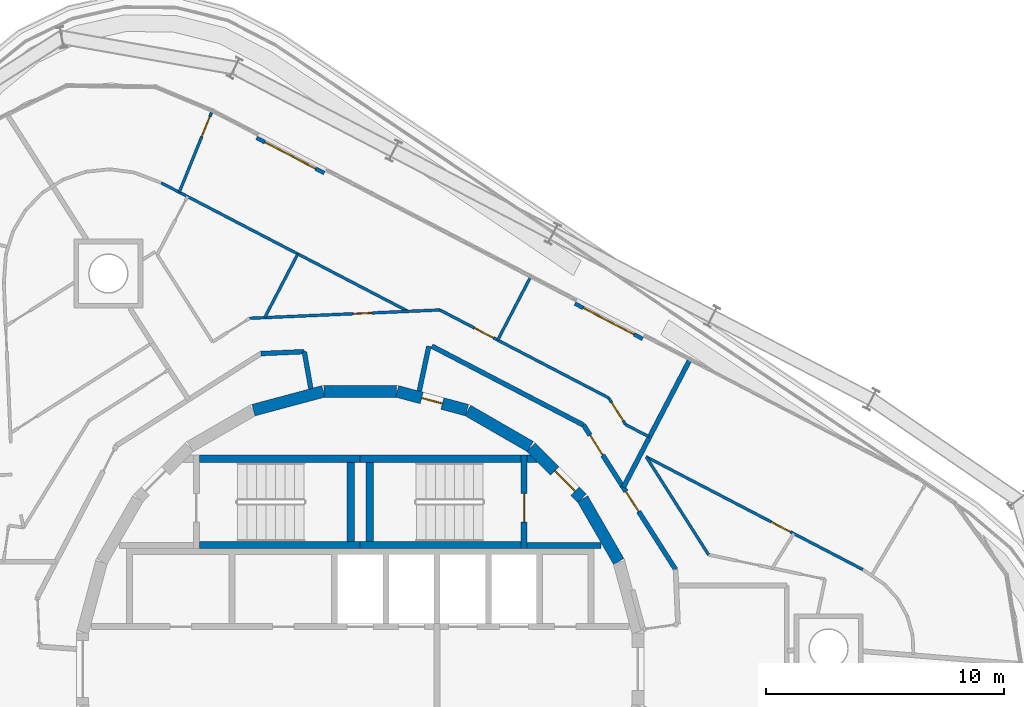
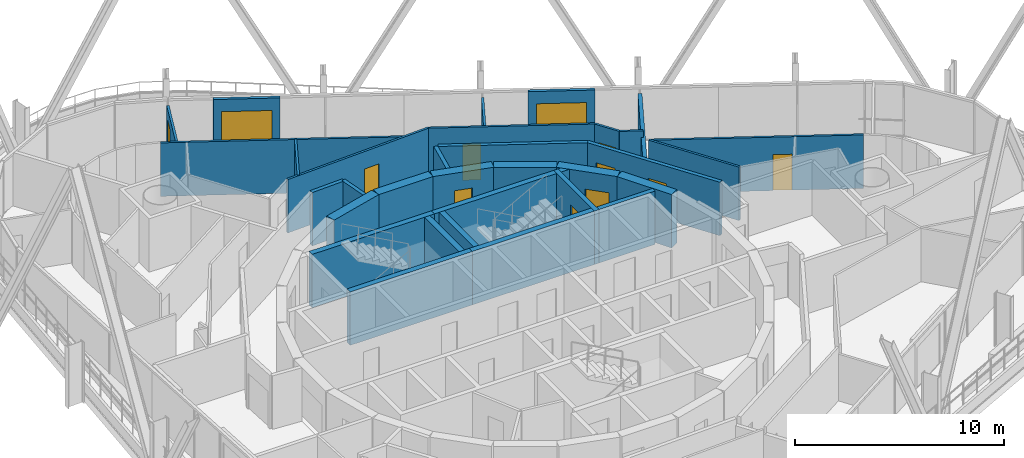
# One storey, part 16 of 20: 33 walls, 12 doors, 12 openings.
"""IFC4 building model written with IfcOpenShell, lengths in metres."""

import ifcopenshell
import ifcopenshell.guid

model = None  # the IFC model being written
_history = None  # IfcOwnerHistory: only IFC2X3 demands one
_inside = {}  # id of a spatial element -> (the spatial element, [elements in it])
_under = {}  # id of a project, library or spatial element -> (it, [spatial elements below it])
_declared = {}  # id of a project -> (the project, [libraries it declares])
_typed = {}  # id of a type object -> (the type object, [elements of that type])
_made_of = {}  # id of a material, layer set ... -> (it, [elements and type objects made of it])


def new_model(schema):
    """Start an empty IFC model of exactly this schema.

    Asked for "IFC4X3", IfcOpenShell would pick the latest addendum, in which some entities
    have other attributes; the version numbers below select the first issue.
    IFC2X3 requires an IfcOwnerHistory on every rooted entity: one is made here for all.
    """
    global model, _history
    if schema == "IFC4X3":
        model = ifcopenshell.file(schema_version=(4, 3, 0, 0))
    else:
        model = ifcopenshell.file(schema=schema)
    _inside.clear()
    _under.clear()
    _declared.clear()
    _typed.clear()
    _made_of.clear()
    _history = None
    if model.schema == "IFC2X3":
        org = make("IfcOrganization", Name="unknown")
        user = make(
            "IfcPersonAndOrganization",
            ThePerson=make("IfcPerson", FamilyName="unknown"),
            TheOrganization=org,
        )
        app = make(
            "IfcApplication",
            ApplicationDeveloper=org,
            Version="unknown",
            ApplicationFullName="unknown",
            ApplicationIdentifier="unknown",
        )
        _history = make(
            "IfcOwnerHistory",
            OwningUser=user,
            OwningApplication=app,
            ChangeAction="ADDED",
            CreationDate=0,
        )
    return model


def make(cls, **values):
    """One entity of the class cls with the attributes given. An attribute that is None is left unset."""
    return model.create_entity(
        cls, **{name: value for name, value in values.items() if value is not None}
    )


def rooted(cls, **values):
    """An entity with a GlobalId (a new one), such as an element, a storey or a relation."""
    return make(cls, GlobalId=ifcopenshell.guid.new(), OwnerHistory=_history, **values)


def si_unit(unit_type, name, prefix=None):
    """IfcSIUnit, for example si_unit("LENGTHUNIT", "METRE", prefix="MILLI")."""
    return make("IfcSIUnit", UnitType=unit_type, Prefix=prefix, Name=name)


def assignment(units):
    """IfcUnitAssignment: the units of a project."""
    return None if units is None else make("IfcUnitAssignment", Units=units)


def point(xyz):
    """IfcCartesianPoint."""
    return None if xyz is None else make("IfcCartesianPoint", Coordinates=xyz)


def direction(xyz):
    """IfcDirection."""
    return None if xyz is None else make("IfcDirection", DirectionRatios=xyz)


def frame(location, z_axis=None, x_axis=None):
    """IfcAxis2Placement3D, a coordinate frame: its origin and axes. An axis left out is left unset."""
    return make(
        "IfcAxis2Placement3D",
        Location=point(location),
        Axis=direction(z_axis),
        RefDirection=direction(x_axis),
    )


def frame_2d(location, x_axis=None):
    """IfcAxis2Placement2D, a coordinate frame in the plane: its origin and x axis."""
    return make(
        "IfcAxis2Placement2D", Location=point(location), RefDirection=direction(x_axis)
    )


def origin():
    """The frame at (0, 0, 0) with its axes left unset."""
    return frame((0.0, 0.0, 0.0))


def place(relative_to, where):
    """IfcLocalPlacement: puts the frame where relative to a parent placement (None: the world)."""
    return make(
        "IfcLocalPlacement", PlacementRelTo=relative_to, RelativePlacement=where
    )


def context(
    kind, dimensions, precision=None, world=None, true_north=None, identifier=None
):
    """IfcGeometricRepresentationContext, for example the 3D "Model" context."""
    return make(
        "IfcGeometricRepresentationContext",
        ContextIdentifier=identifier,
        ContextType=kind,
        CoordinateSpaceDimension=dimensions,
        Precision=precision,
        WorldCoordinateSystem=world,
        TrueNorth=true_north,
    )


def subcontext(parent, identifier, kind, view, scale=None):
    """IfcGeometricRepresentationSubContext, for example "Body" below "Model"."""
    return make(
        "IfcGeometricRepresentationSubContext",
        ContextIdentifier=identifier,
        ContextType=kind,
        ParentContext=parent,
        TargetScale=scale,
        TargetView=view,
    )


def project(units=None, contexts=None):
    """IfcProject with its units and contexts."""
    return rooted(
        "IfcProject",
        Name="project",
        RepresentationContexts=contexts,
        UnitsInContext=assignment(units),
    )


def spatial(cls, under=None, at=None, **own):
    """A site, building, storey or space (cls), placed at a placement, below another one or the project."""
    s = rooted(cls, ObjectPlacement=at, **own)
    if under is not None:
        _under.setdefault(under.id(), (under, []))[1].append(s)
    return s


def polyline(points):
    """IfcPolyline through the points."""
    return make("IfcPolyline", Points=[point(p) for p in points])


def profile(cls, at=None, kind="AREA", **sizes):
    """A parametric profile (cls). Its sizes go by their IFC names, for example OverallWidth=200.0."""
    return make(cls, ProfileType=kind, Position=at, **sizes)


def rectangle(**sizes):
    """IfcRectangleProfileDef."""
    return profile("IfcRectangleProfileDef", **sizes)


def outline(outer, holes=None, kind="AREA"):
    """IfcArbitraryClosedProfileDef: a profile drawn as a closed curve; with holes, ...WithVoids."""
    if holes is None:
        return make("IfcArbitraryClosedProfileDef", ProfileType=kind, OuterCurve=outer)
    return make(
        "IfcArbitraryProfileDefWithVoids",
        ProfileType=kind,
        OuterCurve=outer,
        InnerCurves=holes,
    )


def extrude(swept, where, along, depth):
    """IfcExtrudedAreaSolid: the profile swept, set in the frame where, extruded along a direction by depth."""
    return make(
        "IfcExtrudedAreaSolid",
        SweptArea=swept,
        Position=where,
        ExtrudedDirection=direction(along),
        Depth=depth,
    )


def shape(context_of_items, identifier, shape_type, items):
    """IfcShapeRepresentation: the items that make up one representation, for example the "Body"."""
    return make(
        "IfcShapeRepresentation",
        ContextOfItems=context_of_items,
        RepresentationIdentifier=identifier,
        RepresentationType=shape_type,
        Items=items,
    )


def material(Name=None, Category=None):
    """IfcMaterial."""
    return make("IfcMaterial", Name=Name, Category=Category)


def layer(
    of_material, thickness, ventilated=None, Name=None, Category=None, Priority=None
):
    """IfcMaterialLayer: one layer of a wall or slab, of a material (None: an air gap)."""
    return make(
        "IfcMaterialLayer",
        Material=of_material,
        LayerThickness=thickness,
        IsVentilated=ventilated,
        Name=Name,
        Category=Category,
        Priority=Priority,
    )


def layer_set(layers, Name=None):
    """IfcMaterialLayerSet."""
    return make("IfcMaterialLayerSet", MaterialLayers=layers, LayerSetName=Name)


def made_of(thing, what):
    """Note that an element or type object is made of a material, layer set ...; save() writes the relation."""
    if what is not None:
        _made_of.setdefault(what.id(), (what, []))[1].append(thing)
    return thing


def type_object(cls, material=None, **own):
    """A type object (cls), such as IfcWallType, which elements share."""
    return made_of(rooted(cls, **own), material)


def element(
    cls,
    number,
    at=None,
    inside=None,
    cuts=None,
    type_object=None,
    material=None,
    context=None,
    identifier="Body",
    shape_type=None,
    held_by="IfcProductDefinitionShape",
    body=None,
    shapes=None,
    **own,
):
    """One element of the class cls, such as IfcWall. Its Tag is "e" and its number.

    at: its placement. inside: the storey or other place that contains it. cuts: it is an
    opening in that element (IfcRelVoidsElement). A single representation is given by context,
    identifier, shape_type and body (its items); several are given by shapes. held_by: the class
    of the entity that holds the representations. save() writes the other relations.
    """
    e = rooted(cls, Tag="e%d" % number, ObjectPlacement=at, **own)
    if body is not None:
        shapes = [shape(context, identifier, shape_type, body)]
    if shapes is not None:
        e.Representation = make(held_by, Representations=shapes)
    if inside is not None:
        _inside.setdefault(inside.id(), (inside, []))[1].append(e)
    if cuts is not None:
        rooted(
            "IfcRelVoidsElement", RelatingBuildingElement=cuts, RelatedOpeningElement=e
        )
    if type_object is not None:
        _typed.setdefault(type_object.id(), (type_object, []))[1].append(e)
    return made_of(e, material)


def fill(opening, filler):
    """IfcRelFillsElement: the door or window that sits in an opening."""
    return rooted(
        "IfcRelFillsElement",
        RelatingOpeningElement=opening,
        RelatedBuildingElement=filler,
    )


def aggregate(whole, parts):
    """IfcRelAggregates: a whole, such as a stair, and the parts it consists of."""
    return rooted("IfcRelAggregates", RelatingObject=whole, RelatedObjects=parts)


def save(model, path):
    """Write the relations noted so far, then the file.

    IfcRelAggregates (storeys below a building ...), IfcRelContainedInSpatialStructure (elements
    in a storey), IfcRelDefinesByType, IfcRelAssociatesMaterial and IfcRelDeclares: one each for
    every whole, place, type object, material and project.
    """
    for whole, parts in _under.values():
        aggregate(whole, parts)
    for where, things in _inside.values():
        rooted(
            "IfcRelContainedInSpatialStructure",
            RelatedElements=things,
            RelatingStructure=where,
        )
    for kind, things in _typed.values():
        rooted("IfcRelDefinesByType", RelatedObjects=things, RelatingType=kind)
    for what, things in _made_of.values():
        rooted("IfcRelAssociatesMaterial", RelatedObjects=things, RelatingMaterial=what)
    for by, libraries in _declared.values():
        rooted("IfcRelDeclares", RelatingContext=by, RelatedDefinitions=libraries)
    model.write(path)


model = new_model("IFC4")

# Units and contexts
model_context = context("Model", 3, precision=1e-05, world=origin(), true_north=direction((0.0, 1.0)))
body_context = subcontext(model_context, "Body", "Model", "MODEL_VIEW")
ifc_project = project(units=[si_unit("LENGTHUNIT", "METRE"), si_unit("AREAUNIT", "SQUARE_METRE"), si_unit("VOLUMEUNIT", "CUBIC_METRE"), si_unit("PLANEANGLEUNIT", "RADIAN"), si_unit("MASSUNIT", "GRAM", prefix="KILO")], contexts=[model_context])

# Site, building, storey
site_placement = place(None, origin())
site = spatial("IfcSite", under=ifc_project, at=site_placement, CompositionType="ELEMENT")
building_placement = place(site_placement, origin())
building = spatial("IfcBuilding", under=site, at=building_placement, Name="Spindle Arch Residences", CompositionType="ELEMENT")
storey_placement = place(building_placement, frame((0.0, 0.0, 226.699951171875)))
storey = spatial("IfcBuildingStorey", under=building, at=storey_placement, Name="L57", CompositionType="ELEMENT", Elevation=226.699951171875)

# Wall
ifc_material_1 = material(Name="Concrete C50/60", Category="concrete")
ifc_layer_1 = layer(ifc_material_1, 0.5)
ifc_layer_set_1 = layer_set([ifc_layer_1], Name="Core outline wall 500")
wall_type_1 = type_object("IfcWallType", Name="Core outline wall 500", PredefinedType="SHEAR", material=ifc_layer_set_1)
wall_1_placement = place(storey_placement, frame((10.84521484375, 4.510498046875, 0.0), z_axis=(0.0, 0.0, 1.0), x_axis=(-0.500087131594, 0.865975092491, 0.0)))
element("IfcWall", 1, at=wall_1_placement, inside=storey, type_object=wall_type_1, Name="Core outline wall 8", PredefinedType="SHEAR", context=body_context, shape_type="SweptSolid", body=[
    extrude(rectangle(XDim=3.03271484375, YDim=0.5, at=frame_2d((1.516357421875, 0.0))), origin(), (0.0, 0.0, 1.0), 3.1201171875),
])

# Wall, opening, door
wall_2_placement = place(storey_placement, frame((9.30810546875, 7.163818359375, 0.0), z_axis=(0.0, 0.0, 1.0), x_axis=(-0.707106781187, 0.707106781187, 0.0)))
wall_2 = element("IfcWall", 2, at=wall_2_placement, inside=storey, type_object=wall_type_1, Name="Core outline wall 9", PredefinedType="SHEAR", context=body_context, shape_type="SweptSolid", body=[
    extrude(rectangle(XDim=3.032470703125, YDim=0.5, at=frame_2d((1.51611328125, 0.0))), origin(), (0.0, 0.0, 1.0), 3.1201171875),
])
opening_1_placement = place(wall_2_placement, frame((0.416259765625, 0.0, 0.0)))
opening_1 = element("IfcOpeningElement", 3, at=opening_1_placement, cuts=wall_2, Name="Opening R6A0-AD01", PredefinedType="OPENING", context=body_context, shape_type="SweptSolid", body=[
    extrude(rectangle(XDim=1.199951171875, YDim=2.10009765625, at=frame_2d((0.60009765625, 1.050048828125))), frame((0.0, 0.260009765625, 0.0), z_axis=(0.0, -1.0, 0.0), x_axis=(1.0, 0.0, 0.0)), (0.0, 0.0, 1.0), 0.52001953125),
])
ifc_material_2 = material(Name="Steel, fire-resisting door", Category="steel")
door_type_1 = type_object("IfcDoorType", Name="Stair airlock door 1200x2100", OperationType="SINGLE_SWING_LEFT", PredefinedType="DOOR", material=ifc_material_2)
door_1_placement = place(opening_1_placement, origin())
door_1 = element("IfcDoor", 4, at=door_1_placement, inside=storey, type_object=door_type_1, Name="Stair airlock door R6A0-AD01", OperationType="SINGLE_SWING_RIGHT", OverallHeight=2.10009765625, OverallWidth=1.199951171875, PredefinedType="DOOR", context=body_context, shape_type="SweptSolid", body=[
    extrude(rectangle(XDim=1.199951171875, YDim=2.10009765625, at=frame_2d((0.60009765625, 1.050048828125))), frame((0.0, 0.02490234375, 0.0), z_axis=(0.0, -1.0, 0.0), x_axis=(1.0, 0.0, 0.0)), (0.0, 0.0, 1.0), 0.050048828125),
])
fill(opening_1, door_1)

# Wall
wall_3_placement = place(storey_placement, frame((7.13671875, 9.32861328125, 0.0), z_axis=(0.0, 0.0, 1.0), x_axis=(-0.865975092491, 0.500087131594, 0.0)))
element("IfcWall", 5, at=wall_3_placement, inside=storey, type_object=wall_type_1, Name="Core outline wall 10", PredefinedType="SHEAR", context=body_context, shape_type="SweptSolid", body=[
    extrude(rectangle(XDim=3.03271484375, YDim=0.5, at=frame_2d((1.516357421875, 0.0))), origin(), (0.0, 0.0, 1.0), 3.1201171875),
])

# Wall, opening, door
wall_4_placement = place(storey_placement, frame((4.479248046875, 10.858154296875, 0.0), z_axis=(0.0, 0.0, 1.0), x_axis=(-0.965948410781, 0.258734743916, 0.0)))
wall_4 = element("IfcWall", 6, at=wall_4_placement, inside=storey, type_object=wall_type_1, Name="Core outline wall 11", PredefinedType="SHEAR", context=body_context, shape_type="SweptSolid", body=[
    extrude(rectangle(XDim=3.03271484375, YDim=0.5, at=frame_2d((1.516357421875, 0.0))), origin(), (0.0, 0.0, 1.0), 3.1201171875),
])
opening_2_placement = place(wall_4_placement, frame((1.066162109375, 0.0, 0.0)))
opening_2 = element("IfcOpeningElement", 7, at=opening_2_placement, cuts=wall_4, Name="Opening R6A0-WD11", PredefinedType="OPENING", context=body_context, shape_type="SweptSolid", body=[
    extrude(rectangle(XDim=0.89990234375, YDim=2.10009765625, at=frame_2d((0.449951171875, 1.050048828125))), frame((0.0, 0.260009765625, 0.0), z_axis=(0.0, -1.0, 0.0), x_axis=(1.0, 0.0, 0.0)), (0.0, 0.0, 1.0), 0.52001953125),
])
ifc_material_3 = material(Name="Steel, fire-resisting door", Category="steel")
door_type_2 = type_object("IfcDoorType", Name="Service room door 900x2100", OperationType="SINGLE_SWING_LEFT", PredefinedType="DOOR", material=ifc_material_3)
door_2_placement = place(opening_2_placement, origin())
door_2 = element("IfcDoor", 8, at=door_2_placement, inside=storey, type_object=door_type_2, Name="Service room door R6A0-WD11", OperationType="SINGLE_SWING_LEFT", OverallHeight=2.10009765625, OverallWidth=0.89990234375, PredefinedType="DOOR", context=body_context, shape_type="SweptSolid", body=[
    extrude(rectangle(XDim=0.89990234375, YDim=2.10009765625, at=frame_2d((0.449951171875, 1.050048828125))), frame((0.0, 0.02490234375, 0.0), z_axis=(0.0, -1.0, 0.0), x_axis=(1.0, 0.0, 0.0)), (0.0, 0.0, 1.0), 0.050048828125),
])
fill(opening_2, door_2)

# Walls
for number, where, z_axis, x_axis, name in (
    (9, (1.516357421875, 11.647216796875, 0.0), (0.0, 0.0, 1.0), (-1.0, 0.0, 0.0), "Core outline wall 12"),
    (10, (-1.5498046875, 11.642822265625, 0.0), (0.0, 0.0, 1.0), (-0.965948410781, -0.258734743916, 0.0), "Core outline wall 13"),
):
    element("IfcWall", number, at=place(storey_placement, frame(where, z_axis=z_axis, x_axis=x_axis)), inside=storey, type_object=wall_type_1, Name=name, PredefinedType="SHEAR", context=body_context, shape_type="SweptSolid", body=[
        extrude(rectangle(XDim=3.03271484375, YDim=0.5, at=frame_2d((1.516357421875, 0.0))), origin(), (0.0, 0.0, 1.0), 3.1201171875),
    ])

# Wall, openings, doors
ifc_material_4 = material(Name="Calcium silicate block, plastered")
ifc_layer_2 = layer(ifc_material_4, 0.199951171875)
ifc_layer_set_2 = layer_set([ifc_layer_2], Name="Corridor wall 200")
wall_type_2 = type_object("IfcWallType", Name="Corridor wall 200", PredefinedType="STANDARD", material=ifc_layer_set_2)
wall_5_placement = place(storey_placement, frame((13.230712890625, 4.171630859375, 0.0), z_axis=(0.0, 0.0, 1.0), x_axis=(-0.537304397561, 0.843388394728, 0.0)))
wall_5 = element("IfcWall", 11, at=wall_5_placement, inside=storey, type_object=wall_type_2, Name="Corridor wall R6A0-W004", PredefinedType="STANDARD", context=body_context, shape_type="SweptSolid", body=[
    extrude(rectangle(XDim=7.180908203125, YDim=0.199951171875, at=frame_2d((3.59033203125, 0.0))), origin(), (0.0, 0.0, 1.0), 3.1201171875),
])
opening_3_placement = place(wall_5_placement, frame((2.881103515625, 0.0, 0.0)))
opening_3 = element("IfcOpeningElement", 12, at=opening_3_placement, cuts=wall_5, Name="Opening R6A0-FD01", PredefinedType="OPENING", context=body_context, shape_type="SweptSolid", body=[
    extrude(rectangle(XDim=1.0, YDim=2.10009765625, at=frame_2d((0.5, 1.050048828125))), frame((0.0, 0.10986328125, 0.0), z_axis=(0.0, -1.0, 0.0), x_axis=(1.0, 0.0, 0.0)), (0.0, 0.0, 1.0), 0.219970703125),
])
opening_4_placement = place(wall_5_placement, frame((5.68115234375, 0.0, 0.0)))
opening_4 = element("IfcOpeningElement", 13, at=opening_4_placement, cuts=wall_5, Name="Opening R6A0-FD02", PredefinedType="OPENING", context=body_context, shape_type="SweptSolid", body=[
    extrude(rectangle(XDim=1.0, YDim=2.10009765625, at=frame_2d((0.5, 1.050048828125))), frame((0.0, 0.10986328125, 0.0), z_axis=(0.0, -1.0, 0.0), x_axis=(1.0, 0.0, 0.0)), (0.0, 0.0, 1.0), 0.219970703125),
])
ifc_material_5 = material(Name="Timber, fire-resisting door set", Category="wood")
door_type_3 = type_object("IfcDoorType", Name="Flat entrance door 1000x2100", OperationType="NOTDEFINED", PredefinedType="DOOR", material=ifc_material_5)
door_3_placement = place(opening_3_placement, origin())
door_3 = element("IfcDoor", 14, at=door_3_placement, inside=storey, type_object=door_type_3, Name="Flat entrance door R6A0-FD01", OperationType="SINGLE_SWING_LEFT", OverallHeight=2.10009765625, OverallWidth=1.0, PredefinedType="DOOR", context=body_context, shape_type="SweptSolid", body=[
    extrude(rectangle(XDim=1.0, YDim=2.10009765625, at=frame_2d((0.5, 1.050048828125))), frame((0.0, 0.02490234375, 0.0), z_axis=(0.0, -1.0, 0.0), x_axis=(1.0, 0.0, 0.0)), (0.0, 0.0, 1.0), 0.050048828125),
])
fill(opening_3, door_3)
door_4_placement = place(opening_4_placement, origin())
door_4 = element("IfcDoor", 15, at=door_4_placement, inside=storey, type_object=door_type_3, Name="Flat entrance door R6A0-FD02", OperationType="SINGLE_SWING_LEFT", OverallHeight=2.10009765625, OverallWidth=1.0, PredefinedType="DOOR", context=body_context, shape_type="SweptSolid", body=[
    extrude(rectangle(XDim=1.0, YDim=2.10009765625, at=frame_2d((0.5, 1.050048828125))), frame((0.0, 0.02490234375, 0.0), z_axis=(0.0, -1.0, 0.0), x_axis=(1.0, 0.0, 0.0)), (0.0, 0.0, 1.0), 0.050048828125),
])
fill(opening_4, door_4)

# Walls
wall_6_placement = place(storey_placement, frame((9.372314453125, 10.22802734375, 0.0), z_axis=(0.0, 0.0, 1.0), x_axis=(-0.887005184532, 0.461759464021, 0.0)))
element("IfcWall", 16, at=wall_6_placement, inside=storey, type_object=wall_type_2, Name="Corridor wall R6A0-W005", PredefinedType="STANDARD", context=body_context, shape_type="SweptSolid", body=[
    extrude(rectangle(XDim=7.18115234375, YDim=0.199951171875, at=frame_2d((3.590576171875, 0.0))), origin(), (0.0, 0.0, 1.0), 3.1201171875),
])
wall_7_placement = place(storey_placement, frame((2.877685546875, 13.538330078125, 0.0), z_axis=(0.0, 0.0, 1.0), x_axis=(-0.207893604596, -0.978151444904, 0.0)))
element("IfcWall", 17, at=wall_7_placement, inside=storey, type_object=wall_type_2, Name="Corridor wall R6A0-W006", PredefinedType="STANDARD", context=body_context, shape_type="SweptSolid", body=[
    extrude(rectangle(XDim=1.927001953125, YDim=0.199951171875, at=frame_2d((0.96337890625, 0.0))), origin(), (0.0, 0.0, 1.0), 3.1201171875),
])
wall_8_placement = place(storey_placement, frame((-2.07373046875, 11.76123046875, 0.0), z_axis=(0.0, 0.0, 1.0), x_axis=(-0.173679082312, 0.984802303189, 0.0)))
element("IfcWall", 18, at=wall_8_placement, inside=storey, type_object=wall_type_2, Name="Corridor wall R6A0-W010", PredefinedType="STANDARD", context=body_context, shape_type="SweptSolid", body=[
    extrude(rectangle(XDim=1.572998046875, YDim=0.199951171875, at=frame_2d((0.78662109375, 0.0))), origin(), (0.0, 0.0, 1.0), 3.1201171875),
])
wall_9_placement = place(storey_placement, frame((-2.346923828125, 13.310302734375, 0.0), z_axis=(0.0, 0.0, 1.0), x_axis=(-0.999050095671, -0.043576442492, 0.0)))
element("IfcWall", 19, at=wall_9_placement, inside=storey, type_object=wall_type_2, Name="Corridor wall R6A0-W011", PredefinedType="STANDARD", context=body_context, shape_type="SweptSolid", body=[
    extrude(rectangle(XDim=1.826416015625, YDim=0.199951171875, at=frame_2d((0.9130859375, 0.0))), origin(), (0.0, 0.0, 1.0), 3.1201171875),
])
ifc_material_6 = material(Name="Plasterboard on steel studs", Category="steel")
ifc_layer_3 = layer(ifc_material_6, 0.1201171875)
ifc_layer_set_3 = layer_set([ifc_layer_3], Name="Flat partition 120")
wall_type_3 = type_object("IfcWallType", Name="Flat partition 120", PredefinedType="PARTITIONING", material=ifc_layer_set_3)
wall_10_placement = place(storey_placement, frame((14.615478515625, 4.78955078125, 0.0), z_axis=(0.0, 0.0, 1.0), x_axis=(-0.537312928062, 0.843382960071, 0.0)))
element("IfcWall", 20, at=wall_10_placement, inside=storey, type_object=wall_type_3, Name="Flat partition R6A0-W043", PredefinedType="PARTITIONING", context=body_context, shape_type="SweptSolid", body=[
    extrude(rectangle(XDim=4.87451171875, YDim=0.1201171875, at=frame_2d((2.437255859375, 0.0))), origin(), (0.0, 0.0, 1.0), 3.1201171875),
])

# Wall, opening, door
wall_11_placement = place(storey_placement, frame((21.085205078125, 4.16943359375, 0.0), z_axis=(0.0, 0.0, 1.0), x_axis=(-0.887017373034, 0.461736050071, 0.0)))
wall_11 = element("IfcWall", 21, at=wall_11_placement, inside=storey, type_object=wall_type_3, Name="Flat partition R6A0-W051", PredefinedType="PARTITIONING", context=body_context, shape_type="SweptSolid", body=[
    extrude(rectangle(XDim=10.24658203125, YDim=0.1201171875, at=frame_2d((5.123291015625, 0.0))), origin(), (0.0, 0.0, 1.0), 3.1201171875),
])
opening_5_placement = place(wall_11_placement, frame((3.42529296875, 0.0, 0.0)))
opening_5 = element("IfcOpeningElement", 22, at=opening_5_placement, cuts=wall_11, Name="Opening R6A0-ID02", PredefinedType="OPENING", context=body_context, shape_type="SweptSolid", body=[
    extrude(rectangle(XDim=0.89990234375, YDim=2.10009765625, at=frame_2d((0.449951171875, 1.050048828125))), frame((0.0, 0.070068359375, 0.0), z_axis=(0.0, -1.0, 0.0), x_axis=(1.0, 0.0, 0.0)), (0.0, 0.0, 1.0), 0.14013671875),
])
ifc_material_7 = material(Name="Timber door set", Category="wood")
door_type_4 = type_object("IfcDoorType", Name="Room door 900x2100", OperationType="NOTDEFINED", PredefinedType="DOOR", material=ifc_material_7)
door_5_placement = place(opening_5_placement, origin())
door_5 = element("IfcDoor", 23, at=door_5_placement, inside=storey, type_object=door_type_4, Name="Room door R6A0-ID02", OperationType="SINGLE_SWING_LEFT", OverallHeight=2.10009765625, OverallWidth=0.89990234375, PredefinedType="DOOR", context=body_context, shape_type="SweptSolid", body=[
    extrude(rectangle(XDim=0.89990234375, YDim=2.10009765625, at=frame_2d((0.449951171875, 1.050048828125))), frame((0.0, 0.02490234375, 0.0), z_axis=(0.0, -1.0, 0.0), x_axis=(1.0, 0.0, 0.0)), (0.0, 0.0, 1.0), 0.050048828125),
])
fill(opening_5, door_5)

# Wall
wall_12_placement = place(storey_placement, frame((12.138671875, 9.728515625, 0.0), z_axis=(0.0, 0.0, 1.0), x_axis=(-0.887046876331, 0.461679368383, 0.0)))
element("IfcWall", 24, at=wall_12_placement, inside=storey, type_object=wall_type_3, Name="Flat partition R6A0-W052", PredefinedType="PARTITIONING", context=body_context, shape_type="SweptSolid", body=[
    extrude(rectangle(XDim=1.129638671875, YDim=0.1201171875, at=frame_2d((0.56494140625, 0.0))), origin(), (0.0, 0.0, 1.0), 3.1201171875),
])

# Wall, opening, door
wall_13_placement = place(storey_placement, frame((11.13671875, 10.25, 0.0), z_axis=(0.0, 0.0, 1.0), x_axis=(-0.537231369635, 0.843434914786, 0.0)))
wall_13 = element("IfcWall", 25, at=wall_13_placement, inside=storey, type_object=wall_type_3, Name="Flat partition R6A0-W053", PredefinedType="PARTITIONING", context=body_context, shape_type="SweptSolid", body=[
    extrude(rectangle(XDim=1.33154296875, YDim=0.1201171875, at=frame_2d((0.665771484375, 0.0))), origin(), (0.0, 0.0, 1.0), 3.1201171875),
])
opening_6_placement = place(wall_13_placement, frame((0.199951171875, 0.0, 0.0)))
opening_6 = element("IfcOpeningElement", 26, at=opening_6_placement, cuts=wall_13, Name="Opening R6A0-ID04", PredefinedType="OPENING", context=body_context, shape_type="SweptSolid", body=[
    extrude(rectangle(XDim=0.89990234375, YDim=2.10009765625, at=frame_2d((0.449951171875, 1.050048828125))), frame((0.0, 0.070068359375, 0.0), z_axis=(0.0, -1.0, 0.0), x_axis=(1.0, 0.0, 0.0)), (0.0, 0.0, 1.0), 0.14013671875),
])
door_6_placement = place(opening_6_placement, origin())
door_6 = element("IfcDoor", 27, at=door_6_placement, inside=storey, type_object=door_type_4, Name="Room door R6A0-ID04", OperationType="SINGLE_SWING_LEFT", OverallHeight=2.10009765625, OverallWidth=0.89990234375, PredefinedType="DOOR", context=body_context, shape_type="SweptSolid", body=[
    extrude(rectangle(XDim=0.89990234375, YDim=2.10009765625, at=frame_2d((0.449951171875, 1.050048828125))), frame((0.0, 0.02490234375, 0.0), z_axis=(0.0, -1.0, 0.0), x_axis=(1.0, 0.0, 0.0)), (0.0, 0.0, 1.0), 0.050048828125),
])
fill(opening_6, door_6)

wall_14_placement = place(storey_placement, frame((10.42138671875, 11.373046875, 0.0), z_axis=(0.0, 0.0, 1.0), x_axis=(-0.887012970857, 0.461744506769, 0.0)))
wall_14 = element("IfcWall", 28, at=wall_14_placement, inside=storey, type_object=wall_type_3, Name="Flat partition R6A0-W054", PredefinedType="PARTITIONING", context=body_context, shape_type="SweptSolid", body=[
    extrude(rectangle(XDim=7.98486328125, YDim=0.1201171875, at=frame_2d((3.992431640625, 0.0))), origin(), (0.0, 0.0, 1.0), 3.1201171875),
])
opening_7_placement = place(wall_14_placement, frame((5.447509765625, 0.0, 0.0)))
opening_7 = element("IfcOpeningElement", 29, at=opening_7_placement, cuts=wall_14, Name="Opening R6A0-ID05", PredefinedType="OPENING", context=body_context, shape_type="SweptSolid", body=[
    extrude(rectangle(XDim=0.89990234375, YDim=2.10009765625, at=frame_2d((0.449951171875, 1.050048828125))), frame((0.0, 0.070068359375, 0.0), z_axis=(0.0, -1.0, 0.0), x_axis=(1.0, 0.0, 0.0)), (0.0, 0.0, 1.0), 0.14013671875),
])
door_7_placement = place(opening_7_placement, origin())
door_7 = element("IfcDoor", 30, at=door_7_placement, inside=storey, type_object=door_type_4, Name="Room door R6A0-ID05", OperationType="SINGLE_SWING_RIGHT", OverallHeight=2.10009765625, OverallWidth=0.89990234375, PredefinedType="DOOR", context=body_context, shape_type="SweptSolid", body=[
    extrude(rectangle(XDim=0.89990234375, YDim=2.10009765625, at=frame_2d((0.449951171875, 1.050048828125))), frame((0.0, 0.02490234375, 0.0), z_axis=(0.0, -1.0, 0.0), x_axis=(1.0, 0.0, 0.0)), (0.0, 0.0, 1.0), 0.050048828125),
])
fill(opening_7, door_7)

wall_15_placement = place(storey_placement, frame((3.338623046875, 15.06005859375, 0.0), z_axis=(0.0, 0.0, 1.0), x_axis=(-0.999047716945, -0.043630943905, 0.0)))
wall_15 = element("IfcWall", 31, at=wall_15_placement, inside=storey, type_object=wall_type_3, Name="Flat partition R6A0-W055", PredefinedType="PARTITIONING", context=body_context, shape_type="SweptSolid", body=[
    extrude(rectangle(XDim=7.98486328125, YDim=0.1201171875, at=frame_2d((3.992431640625, 0.0))), origin(), (0.0, 0.0, 1.0), 3.1201171875),
])
opening_8_placement = place(wall_15_placement, frame((2.831298828125, 0.0, 0.0)))
opening_8 = element("IfcOpeningElement", 32, at=opening_8_placement, cuts=wall_15, Name="Opening R6A0-BD02", PredefinedType="OPENING", context=body_context, shape_type="SweptSolid", body=[
    extrude(rectangle(XDim=0.800048828125, YDim=2.10009765625, at=frame_2d((0.39990234375, 1.050048828125))), frame((0.0, 0.070068359375, 0.0), z_axis=(0.0, -1.0, 0.0), x_axis=(1.0, 0.0, 0.0)), (0.0, 0.0, 1.0), 0.14013671875),
])
ifc_material_8 = material(Name="Timber door set", Category="wood")
door_type_5 = type_object("IfcDoorType", Name="Bathroom door 800x2100", OperationType="NOTDEFINED", PredefinedType="DOOR", material=ifc_material_8)
door_8_placement = place(opening_8_placement, origin())
door_8 = element("IfcDoor", 33, at=door_8_placement, inside=storey, type_object=door_type_5, Name="Bathroom door R6A0-BD02", OperationType="SINGLE_SWING_RIGHT", OverallHeight=2.10009765625, OverallWidth=0.800048828125, PredefinedType="DOOR", context=body_context, shape_type="SweptSolid", body=[
    extrude(rectangle(XDim=0.800048828125, YDim=2.10009765625, at=frame_2d((0.39990234375, 1.050048828125))), frame((0.0, 0.02490234375, 0.0), z_axis=(0.0, -1.0, 0.0), x_axis=(1.0, 0.0, 0.0)), (0.0, 0.0, 1.0), 0.050048828125),
])
fill(opening_8, door_8)

# Walls
wall_16_placement = place(storey_placement, frame((-8.350341796875, 20.394287109375, 0.0), z_axis=(0.0, 0.0, 1.0), x_axis=(0.887020940825, -0.461729196107, 0.0)))
element("IfcWall", 34, at=wall_16_placement, inside=storey, type_object=wall_type_3, Name="Flat partition R6A0-W060", PredefinedType="PARTITIONING", context=body_context, shape_type="SweptSolid", body=[
    extrude(rectangle(XDim=11.678466796875, YDim=0.1201171875, at=frame_2d((5.83935546875, 0.0))), origin(), (0.0, 0.0, 1.0), 3.1201171875),
])
wall_17_placement = place(storey_placement, frame((-2.619140625, 17.410888671875, 0.0), z_axis=(0.0, 0.0, 1.0), x_axis=(-0.461743141736, -0.887013681439, 0.0)))
element("IfcWall", 35, at=wall_17_placement, inside=storey, type_object=wall_type_3, Name="Flat partition R6A0-W062", PredefinedType="PARTITIONING", context=body_context, shape_type="SweptSolid", body=[
    extrude(rectangle(XDim=3.01220703125, YDim=0.1201171875, at=frame_2d((1.506103515625, 0.0))), origin(), (0.0, 0.0, 1.0), 3.1201171875),
])
ifc_material_9 = material(Name="Plasterboard on steel studs", Category="steel")
ifc_layer_4 = layer(ifc_material_9, 0.1201171875)
ifc_layer_set_4 = layer_set([ifc_layer_4], Name="Flat partition 120 under beam 2730")
wall_type_4 = type_object("IfcWallType", Name="Flat partition 120 under beam 2730", PredefinedType="PARTITIONING", material=ifc_layer_set_4)
wall_18_placement = place(storey_placement, frame((7.121826171875, 16.398681640625, 0.0), z_axis=(0.0, 0.0, 1.0), x_axis=(-0.461763975246, -0.887002836053, 0.0)))
element("IfcWall", 36, at=wall_18_placement, inside=storey, type_object=wall_type_4, Name="Flat partition R6A0-W059", PredefinedType="PARTITIONING", context=body_context, shape_type="SweptSolid", body=[
    extrude(rectangle(XDim=2.934326171875, YDim=0.1201171875, at=frame_2d((1.46728515625, 0.0))), origin(), (0.0, 0.0, 1.0), 2.72998046875),
])

# Wall, opening, door
wall_19_placement = place(storey_placement, frame((-6.23681640625, 23.352783203125, 0.0), z_axis=(0.0, 0.0, 1.0), x_axis=(-0.375089171101, -0.92698873441, 0.0)))
wall_19 = element("IfcWall", 37, at=wall_19_placement, inside=storey, type_object=wall_type_4, Name="Flat partition R6A0-W061", PredefinedType="PARTITIONING", context=body_context, shape_type="SweptSolid", body=[
    extrude(rectangle(XDim=3.6162109375, YDim=0.1201171875, at=frame_2d((1.80810546875, 0.0))), origin(), (0.0, 0.0, 1.0), 2.72998046875),
])
opening_9_placement = place(wall_19_placement, frame((0.199951171875, 0.0, 0.0)))
opening_9 = element("IfcOpeningElement", 38, at=opening_9_placement, cuts=wall_19, Name="Opening R6A0-ID08", PredefinedType="OPENING", context=body_context, shape_type="SweptSolid", body=[
    extrude(rectangle(XDim=0.89990234375, YDim=2.10009765625, at=frame_2d((0.449951171875, 1.050048828125))), frame((0.0, 0.070068359375, 0.0), z_axis=(0.0, -1.0, 0.0), x_axis=(1.0, 0.0, 0.0)), (0.0, 0.0, 1.0), 0.14013671875),
])
door_9_placement = place(opening_9_placement, origin())
door_9 = element("IfcDoor", 39, at=door_9_placement, inside=storey, type_object=door_type_4, Name="Room door R6A0-ID08", OperationType="SINGLE_SWING_RIGHT", OverallHeight=2.10009765625, OverallWidth=0.89990234375, PredefinedType="DOOR", context=body_context, shape_type="SweptSolid", body=[
    extrude(rectangle(XDim=0.89990234375, YDim=2.10009765625, at=frame_2d((0.449951171875, 1.050048828125))), frame((0.0, 0.02490234375, 0.0), z_axis=(0.0, -1.0, 0.0), x_axis=(1.0, 0.0, 0.0)), (0.0, 0.0, 1.0), 0.050048828125),
])
fill(opening_9, door_9)

# Wall
ifc_material_10 = material(Name="Calcium silicate block, plastered")
ifc_layer_5 = layer(ifc_material_10, 0.199951171875)
ifc_layer_set_5 = layer_set([ifc_layer_5], Name="Flat party wall 200 under beam 2730")
wall_type_5 = type_object("IfcWallType", Name="Flat party wall 200 under beam 2730", PredefinedType="STANDARD", material=ifc_layer_set_5)
wall_20_placement = place(storey_placement, frame((13.801025390625, 12.921875, 0.0), z_axis=(0.0, 0.0, 1.0), x_axis=(-0.461726485624, -0.887022351733, 0.0)))
element("IfcWall", 40, at=wall_20_placement, inside=storey, type_object=wall_type_5, Name="Flat party wall R6A0-W029", PredefinedType="STANDARD", context=body_context, shape_type="SweptSolid", body=[
    extrude(rectangle(XDim=5.984375, YDim=0.199951171875, at=frame_2d((2.9921875, 0.0))), origin(), (0.0, 0.0, 1.0), 2.72998046875),
])

# Wall, opening, door
ifc_material_11 = material(Name="Non-combustible mineral wool insulated aluminium faced external wall (K0)", Category="aluminium")
ifc_layer_6 = layer(ifc_material_11, 0.159912109375)
ifc_layer_set_6 = layer_set([ifc_layer_6], Name="Insulated external wall panel 160")
wall_type_6 = type_object("IfcWallType", Name="Insulated external wall panel 160", PredefinedType="STANDARD", material=ifc_layer_set_6)
wall_21_placement = place(storey_placement, frame((11.84375, 13.8505859375, 0.0), z_axis=(0.0, 0.0, 1.0), x_axis=(-0.887014349583, 0.461741858221, 0.0)))
wall_21 = element("IfcWall", 41, at=wall_21_placement, inside=storey, type_object=wall_type_6, Name="External wall L57 bay 7", PredefinedType="STANDARD", context=body_context, shape_type="SweptSolid", body=[
    extrude(rectangle(XDim=3.199951171875, YDim=0.159912109375, at=frame_2d((1.60009765625, 0.0))), origin(), (0.0, 0.0, 1.0), 3.1201171875),
])
opening_10_placement = place(wall_21_placement, frame((0.39990234375, 0.0, 0.0)))
opening_10 = element("IfcOpeningElement", 42, at=opening_10_placement, cuts=wall_21, Name="Opening BD07", PredefinedType="OPENING", context=body_context, shape_type="SweptSolid", body=[
    extrude(rectangle(XDim=2.39990234375, YDim=2.39990234375, at=frame_2d((1.199951171875, 1.199951171875))), frame((0.0, 0.08984375, 0.0), z_axis=(0.0, -1.0, 0.0), x_axis=(1.0, 0.0, 0.0)), (0.0, 0.0, 1.0), 0.179931640625),
])
ifc_material_12 = material(Name="Bronze aluminium frame, tinted double glazing", Category="aluminium")
door_type_6 = type_object("IfcDoorType", Name="Sliding glazed balcony door 2400x2400", OperationType="DOUBLE_DOOR_SLIDING", PredefinedType="DOOR", material=ifc_material_12)
door_10_placement = place(opening_10_placement, origin())
door_10 = element("IfcDoor", 43, at=door_10_placement, inside=storey, type_object=door_type_6, Name="Balcony door BD07", OperationType="DOUBLE_DOOR_SLIDING", OverallHeight=2.39990234375, OverallWidth=2.39990234375, PredefinedType="DOOR", context=body_context, shape_type="SweptSolid", body=[
    extrude(rectangle(XDim=2.39990234375, YDim=2.39990234375, at=frame_2d((1.199951171875, 1.199951171875))), frame((0.0, 0.02490234375, 0.0), z_axis=(0.0, -1.0, 0.0), x_axis=(1.0, 0.0, 0.0)), (0.0, 0.0, 1.0), 0.050048828125),
])
fill(opening_10, door_10)

wall_22_placement = place(storey_placement, frame((-1.514892578125, 20.804443359375, 0.0), z_axis=(0.0, 0.0, 1.0), x_axis=(-0.887014349583, 0.461741858221, 0.0)))
wall_22 = element("IfcWall", 44, at=wall_22_placement, inside=storey, type_object=wall_type_6, Name="External wall L57 bay 9", PredefinedType="STANDARD", context=body_context, shape_type="SweptSolid", body=[
    extrude(rectangle(XDim=3.199951171875, YDim=0.159912109375, at=frame_2d((1.60009765625, 0.0))), origin(), (0.0, 0.0, 1.0), 3.1201171875),
])
opening_11_placement = place(wall_22_placement, frame((0.39990234375, 0.0, 0.0)))
opening_11 = element("IfcOpeningElement", 45, at=opening_11_placement, cuts=wall_22, Name="Opening BD09", PredefinedType="OPENING", context=body_context, shape_type="SweptSolid", body=[
    extrude(rectangle(XDim=2.39990234375, YDim=2.39990234375, at=frame_2d((1.199951171875, 1.199951171875))), frame((0.0, 0.08984375, 0.0), z_axis=(0.0, -1.0, 0.0), x_axis=(1.0, 0.0, 0.0)), (0.0, 0.0, 1.0), 0.179931640625),
])
door_11_placement = place(opening_11_placement, origin())
door_11 = element("IfcDoor", 46, at=door_11_placement, inside=storey, type_object=door_type_6, Name="Balcony door BD09", OperationType="DOUBLE_DOOR_SLIDING", OverallHeight=2.39990234375, OverallWidth=2.39990234375, PredefinedType="DOOR", context=body_context, shape_type="SweptSolid", body=[
    extrude(rectangle(XDim=2.39990234375, YDim=2.39990234375, at=frame_2d((1.199951171875, 1.199951171875))), frame((0.0, 0.02490234375, 0.0), z_axis=(0.0, -1.0, 0.0), x_axis=(1.0, 0.0, 0.0)), (0.0, 0.0, 1.0), 0.050048828125),
])
fill(opening_11, door_11)

# Walls
ifc_material_13 = material(Name="Concrete C40/50", Category="concrete")
ifc_layer_7 = layer(ifc_material_13, 0.25)
ifc_layer_set_7 = layer_set([ifc_layer_7], Name="Stair airlock wall 250")
wall_type_7 = type_object("IfcWallType", Name="Stair airlock wall 250", PredefinedType="SHEAR", material=ifc_layer_set_7)
wall_23_placement = place(storey_placement, frame((7.0, 5.175048828125, 0.0), z_axis=(0.0, 0.0, 1.0), x_axis=(1.0, 0.0, 0.0)))
element("IfcWall", 47, at=wall_23_placement, inside=storey, type_object=wall_type_7, Name="Stair ST-1 airlock wall S", PredefinedType="SHEAR", context=body_context, shape_type="SweptSolid", body=[
    extrude(rectangle(XDim=3.10009765625, YDim=0.25, at=frame_2d((1.550048828125, 0.0))), origin(), (0.0, 0.0, 1.0), 3.1201171875),
])
ifc_material_14 = material(Name="Concrete C40/50", Category="concrete")
wall_type_8 = type_object("IfcWallType", Name="Stair airlock wall profile", PredefinedType="SHEAR", material=ifc_material_14)
wall_24_placement = place(storey_placement, origin())
element("IfcWall", 48, at=wall_24_placement, inside=storey, type_object=wall_type_8, Name="Stair ST-1 airlock wall N", PredefinedType="SHEAR", context=body_context, shape_type="SweptSolid", body=[
    extrude(outline(polyline([(7.4482421875, 8.669921875), (7.0, 8.669921875), (7.0, 8.969970703125), (7.148193359375, 8.969970703125), (7.4482421875, 8.669921875)])), origin(), (0.0, 0.0, 1.0), 3.1201171875),
])

# Wall, opening, door
ifc_material_15 = material(Name="Concrete C50/60", Category="concrete")
ifc_layer_8 = layer(ifc_material_15, 0.25)
ifc_layer_set_8 = layer_set([ifc_layer_8], Name="Stair enclosure wall 250")
wall_type_9 = type_object("IfcWallType", Name="Stair enclosure wall 250", PredefinedType="SHEAR", material=ifc_layer_set_8)
wall_25_placement = place(storey_placement, frame((6.875, 5.050048828125, 0.0), z_axis=(0.0, 0.0, 1.0), x_axis=(0.0, 1.0, 0.0)))
wall_25 = element("IfcWall", 49, at=wall_25_placement, inside=storey, type_object=wall_type_9, Name="Stair ST-1 door wall", PredefinedType="SHEAR", context=body_context, shape_type="SweptSolid", body=[
    extrude(rectangle(XDim=3.919921875, YDim=0.25, at=frame_2d((1.9599609375, 0.0))), origin(), (0.0, 0.0, 1.0), 3.1201171875),
])
opening_12_placement = place(wall_25_placement, frame((1.110107421875, 0.0, 0.0)))
opening_12 = element("IfcOpeningElement", 50, at=opening_12_placement, cuts=wall_25, Name="Opening R6A0-SD01", PredefinedType="OPENING", context=body_context, shape_type="SweptSolid", body=[
    extrude(rectangle(XDim=1.199951171875, YDim=2.10009765625, at=frame_2d((0.60009765625, 1.050048828125))), frame((0.0, 0.135009765625, 0.0), z_axis=(0.0, -1.0, 0.0), x_axis=(1.0, 0.0, 0.0)), (0.0, 0.0, 1.0), 0.27001953125),
])
ifc_material_16 = material(Name="Steel, fire-resisting door", Category="steel")
door_type_7 = type_object("IfcDoorType", Name="Stair door 1200x2100", OperationType="SINGLE_SWING_RIGHT", PredefinedType="DOOR", material=ifc_material_16)
door_12_placement = place(opening_12_placement, origin())
door_12 = element("IfcDoor", 51, at=door_12_placement, inside=storey, type_object=door_type_7, Name="Stair door R6A0-SD01", OperationType="SINGLE_SWING_LEFT", OverallHeight=2.10009765625, OverallWidth=1.199951171875, PredefinedType="DOOR", context=body_context, shape_type="SweptSolid", body=[
    extrude(rectangle(XDim=1.199951171875, YDim=2.10009765625, at=frame_2d((0.60009765625, 1.050048828125))), frame((0.0, 0.02490234375, 0.0), z_axis=(0.0, -1.0, 0.0), x_axis=(1.0, 0.0, 0.0)), (0.0, 0.0, 1.0), 0.050048828125),
])
fill(opening_12, door_12)

# Walls
ifc_material_17 = material(Name="Concrete C50/60", Category="concrete")
ifc_layer_9 = layer(ifc_material_17, 0.300048828125)
ifc_layer_set_9 = layer_set([ifc_layer_9], Name="Stair enclosure wall 300")
wall_type_10 = type_object("IfcWallType", Name="Stair enclosure wall 300", PredefinedType="SHEAR", material=ifc_layer_set_9)
for number, where, z_axis, x_axis, name in (
    (52, (0.0, 5.199951171875, 0.0), (0.0, 0.0, 1.0), (1.0, 0.0, 0.0), "Stair ST-1 enclosure wall S"),
    (53, (0.0, 8.820068359375, 0.0), (0.0, 0.0, 1.0), (1.0, 0.0, 0.0), "Stair ST-1 enclosure wall N"),
):
    element("IfcWall", number, at=place(storey_placement, frame(where, z_axis=z_axis, x_axis=x_axis)), inside=storey, type_object=wall_type_10, Name=name, PredefinedType="SHEAR", context=body_context, shape_type="SweptSolid", body=[
        extrude(rectangle(XDim=6.75, YDim=0.300048828125, at=frame_2d((3.375, 0.0))), origin(), (0.0, 0.0, 1.0), 3.1201171875),
    ])
wall_26_placement = place(storey_placement, frame((0.39990234375, 5.35009765625, 0.0), z_axis=(0.0, 0.0, 1.0), x_axis=(0.0, 1.0, 0.0)))
element("IfcWall", 54, at=wall_26_placement, inside=storey, type_object=wall_type_10, Name="Stair ST-1 enclosure wall F", PredefinedType="SHEAR", context=body_context, shape_type="SweptSolid", body=[
    extrude(rectangle(XDim=3.31982421875, YDim=0.300048828125, at=frame_2d((1.659912109375, 0.0))), origin(), (0.0, 0.0, 1.0), 3.1201171875),
])
for number, where, z_axis, x_axis, name in (
    (55, (-6.75, 5.199951171875, 0.0), (0.0, 0.0, 1.0), (1.0, 0.0, 0.0), "Stair ST-2 enclosure wall S"),
    (56, (-6.75, 8.820068359375, 0.0), (0.0, 0.0, 1.0), (1.0, 0.0, 0.0), "Stair ST-2 enclosure wall N"),
):
    element("IfcWall", number, at=place(storey_placement, frame(where, z_axis=z_axis, x_axis=x_axis)), inside=storey, type_object=wall_type_10, Name=name, PredefinedType="SHEAR", context=body_context, shape_type="SweptSolid", body=[
        extrude(rectangle(XDim=6.75, YDim=0.300048828125, at=frame_2d((3.375, 0.0))), origin(), (0.0, 0.0, 1.0), 3.1201171875),
    ])
wall_27_placement = place(storey_placement, frame((-0.39990234375, 5.35009765625, 0.0), z_axis=(0.0, 0.0, 1.0), x_axis=(0.0, 1.0, 0.0)))
element("IfcWall", 57, at=wall_27_placement, inside=storey, type_object=wall_type_10, Name="Stair ST-2 enclosure wall F", PredefinedType="SHEAR", context=body_context, shape_type="SweptSolid", body=[
    extrude(rectangle(XDim=3.31982421875, YDim=0.300048828125, at=frame_2d((1.659912109375, 0.0))), origin(), (0.0, 0.0, 1.0), 3.1201171875),
])

save(model, "model.ifc")
